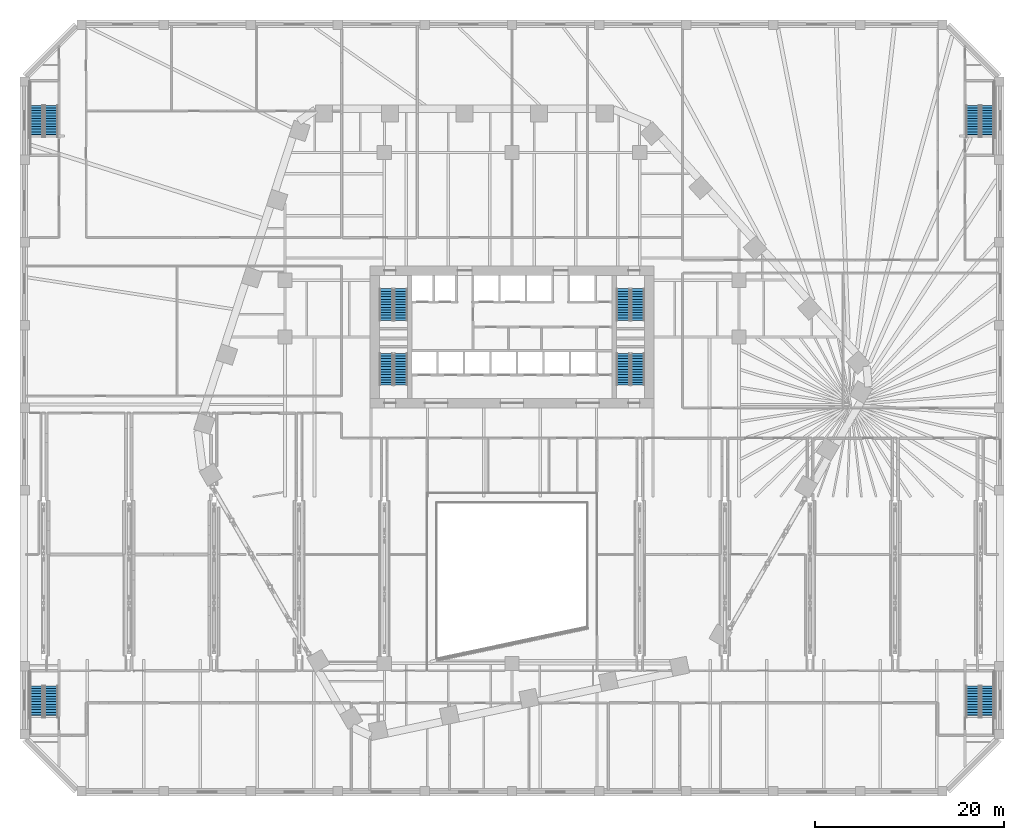
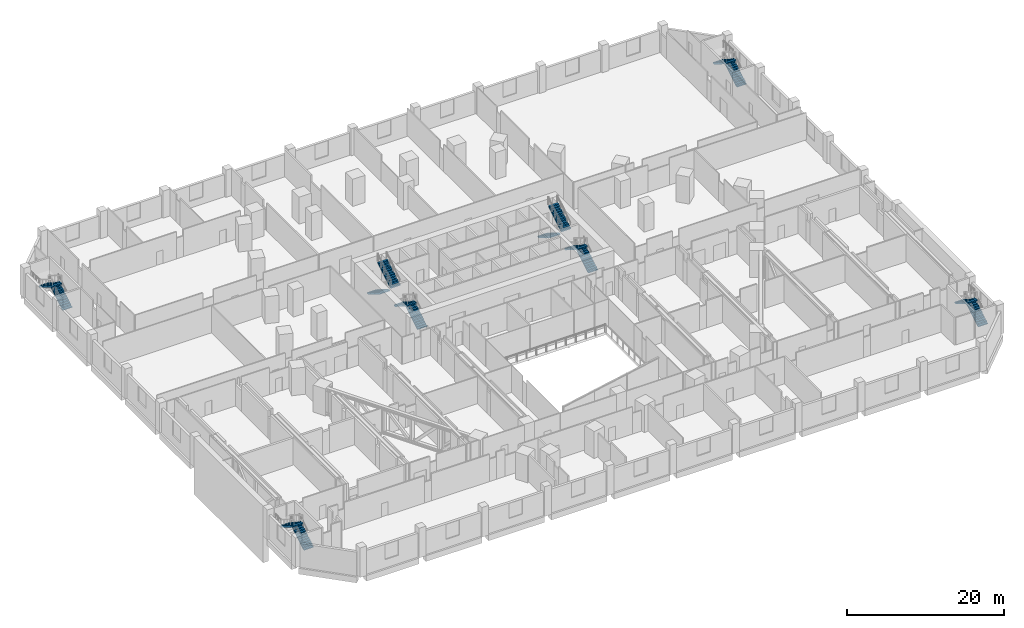
# One storey, part 25 of 32: 16 stair flights, 8 elements without a shape of their own.
"""IFC4 building model written with IfcOpenShell, lengths in metres."""

from ifc_helpers import new_model, si_unit, direction, frame, origin, place, context, subcontext, project, spatial, polyline, outline, extrude, material, type_object, element, aggregate, save


model = new_model("IFC4")

# Units and contexts
model_context = context("Model", 3, precision=1e-05, world=origin(), true_north=direction((0.0, 1.0)))
body_context = subcontext(model_context, "Body", "Model", "MODEL_VIEW")
ifc_project = project(units=[si_unit("LENGTHUNIT", "METRE"), si_unit("AREAUNIT", "SQUARE_METRE"), si_unit("VOLUMEUNIT", "CUBIC_METRE"), si_unit("PLANEANGLEUNIT", "RADIAN"), si_unit("MASSUNIT", "GRAM", prefix="KILO")], contexts=[model_context])

# Site, building, storey
site_placement = place(None, origin())
site = spatial("IfcSite", under=ifc_project, at=site_placement, CompositionType="ELEMENT")
building_placement = place(site_placement, origin())
building = spatial("IfcBuilding", under=site, at=building_placement, Name="Isthmus Gate Tower", CompositionType="ELEMENT")
storey_placement = place(building_placement, frame((0.0, 0.0, 18.0)))
storey = spatial("IfcBuildingStorey", under=building, at=storey_placement, Name="L02", CompositionType="ELEMENT", Elevation=18.0)

# Stair, stair flights
ifc_material_1 = material(Name="Concrete f'c 40 MPa", Category="concrete")
stair_type_1 = type_object("IfcStairType", Name="Podium exit stair 1400 wide flights", PredefinedType="HALF_TURN_STAIR", material=ifc_material_1)
stair_1_placement = place(storey_placement, origin())
stair_1 = element("IfcStair", 1, at=stair_1_placement, inside=storey, type_object=stair_type_1, Name="L02 Podium Exit Stair ST3", PredefinedType="HALF_TURN_STAIR")
ifc_material_2 = material(Name="Concrete f'c 40 MPa", Category="concrete")
stair_flight_type_1 = type_object("IfcStairFlightType", Name="Podium stair flight 1400", PredefinedType="STRAIGHT", material=ifc_material_2)
stair_flight_1_placement = place(storey_placement, frame((-48.699951171875, -32.72509765625, 0.0), z_axis=(0.0, 0.0, 1.0), x_axis=(0.0, 1.0, 0.0)))
stair_flight_1 = element("IfcStairFlight", 2, at=stair_flight_1_placement, type_object=stair_flight_type_1, Name="ST3 flight 1", NumberOfRisers=13, NumberOfTreads=12, PredefinedType="STRAIGHT", RiserHeight=0.173076923, TreadLength=0.28, context=body_context, shape_type="SweptSolid", body=[
    extrude(outline(polyline([(0.0, 0.0), (0.0, 0.173095703125), (0.280029296875, 0.173095703125), (0.280029296875, 0.34619140625), (0.56005859375, 0.34619140625), (0.56005859375, 0.519287109375), (0.840087890625, 0.519287109375), (0.840087890625, 0.6923828125), (1.1201171875, 0.6923828125), (1.1201171875, 0.865478515625), (1.39990234375, 0.865478515625), (1.39990234375, 1.03857421875), (1.679931640625, 1.03857421875), (1.679931640625, 1.21142578125), (1.9599609375, 1.21142578125), (1.9599609375, 1.384521484375), (2.239990234375, 1.384521484375), (2.239990234375, 1.5576171875), (2.52001953125, 1.5576171875), (2.52001953125, 1.730712890625), (2.800048828125, 1.730712890625), (2.800048828125, 1.90380859375), (3.080078125, 1.90380859375), (3.080078125, 2.076904296875), (3.360107421875, 2.076904296875), (3.360107421875, 2.25), (3.360107421875, 1.900634765625), (0.28515625, 0.0), (0.0, 0.0)])), frame((0.0, 0.699951171875, 0.0), z_axis=(0.0, -1.0, 0.0), x_axis=(1.0, 0.0, 0.0)), (0.0, 0.0, 1.0), 1.39990234375),
])
stair_flight_2_placement = place(storey_placement, frame((-50.25, -29.364990234375, 2.25), z_axis=(0.0, 0.0, 1.0), x_axis=(0.0, -1.0, 0.0)))
stair_flight_2 = element("IfcStairFlight", 3, at=stair_flight_2_placement, type_object=stair_flight_type_1, Name="ST3 flight 2", NumberOfRisers=13, NumberOfTreads=12, PredefinedType="STRAIGHT", RiserHeight=0.173076923, TreadLength=0.28, context=body_context, shape_type="SweptSolid", body=[
    extrude(outline(polyline([(0.0, 0.0), (0.0, 0.173095703125), (0.280029296875, 0.173095703125), (0.280029296875, 0.34619140625), (0.56005859375, 0.34619140625), (0.56005859375, 0.519287109375), (0.840087890625, 0.519287109375), (0.840087890625, 0.6923828125), (1.1201171875, 0.6923828125), (1.1201171875, 0.865478515625), (1.39990234375, 0.865478515625), (1.39990234375, 1.03857421875), (1.679931640625, 1.03857421875), (1.679931640625, 1.21142578125), (1.9599609375, 1.21142578125), (1.9599609375, 1.384521484375), (2.239990234375, 1.384521484375), (2.239990234375, 1.5576171875), (2.52001953125, 1.5576171875), (2.52001953125, 1.730712890625), (2.800048828125, 1.730712890625), (2.800048828125, 1.90380859375), (3.080078125, 1.90380859375), (3.080078125, 2.076904296875), (3.360107421875, 2.076904296875), (3.360107421875, 2.25), (3.360107421875, 1.900634765625), (0.28515625, 0.0), (0.0, 0.0)])), frame((0.0, 0.699951171875, 0.0), z_axis=(0.0, -1.0, 0.0), x_axis=(1.0, 0.0, 0.0)), (0.0, 0.0, 1.0), 1.39990234375),
])
aggregate(stair_1, [stair_flight_1, stair_flight_2])

stair_2_placement = place(storey_placement, origin())
stair_2 = element("IfcStair", 4, at=stair_2_placement, inside=storey, type_object=stair_type_1, Name="L02 Podium Exit Stair ST4", PredefinedType="HALF_TURN_STAIR")
stair_flight_3_placement = place(storey_placement, frame((50.25, -32.72509765625, 0.0), z_axis=(0.0, 0.0, 1.0), x_axis=(0.0, 1.0, 0.0)))
stair_flight_3 = element("IfcStairFlight", 5, at=stair_flight_3_placement, type_object=stair_flight_type_1, Name="ST4 flight 1", NumberOfRisers=13, NumberOfTreads=12, PredefinedType="STRAIGHT", RiserHeight=0.173076923, TreadLength=0.28, context=body_context, shape_type="SweptSolid", body=[
    extrude(outline(polyline([(0.0, 0.0), (0.0, 0.173095703125), (0.280029296875, 0.173095703125), (0.280029296875, 0.34619140625), (0.56005859375, 0.34619140625), (0.56005859375, 0.519287109375), (0.840087890625, 0.519287109375), (0.840087890625, 0.6923828125), (1.1201171875, 0.6923828125), (1.1201171875, 0.865478515625), (1.39990234375, 0.865478515625), (1.39990234375, 1.03857421875), (1.679931640625, 1.03857421875), (1.679931640625, 1.21142578125), (1.9599609375, 1.21142578125), (1.9599609375, 1.384521484375), (2.239990234375, 1.384521484375), (2.239990234375, 1.5576171875), (2.52001953125, 1.5576171875), (2.52001953125, 1.730712890625), (2.800048828125, 1.730712890625), (2.800048828125, 1.90380859375), (3.080078125, 1.90380859375), (3.080078125, 2.076904296875), (3.360107421875, 2.076904296875), (3.360107421875, 2.25), (3.360107421875, 1.900634765625), (0.28515625, 0.0), (0.0, 0.0)])), frame((0.0, 0.699951171875, 0.0), z_axis=(0.0, -1.0, 0.0), x_axis=(1.0, 0.0, 0.0)), (0.0, 0.0, 1.0), 1.39990234375),
])
stair_flight_4_placement = place(storey_placement, frame((48.699951171875, -29.364990234375, 2.25), z_axis=(0.0, 0.0, 1.0), x_axis=(0.0, -1.0, 0.0)))
stair_flight_4 = element("IfcStairFlight", 6, at=stair_flight_4_placement, type_object=stair_flight_type_1, Name="ST4 flight 2", NumberOfRisers=13, NumberOfTreads=12, PredefinedType="STRAIGHT", RiserHeight=0.173076923, TreadLength=0.28, context=body_context, shape_type="SweptSolid", body=[
    extrude(outline(polyline([(0.0, 0.0), (0.0, 0.173095703125), (0.280029296875, 0.173095703125), (0.280029296875, 0.34619140625), (0.56005859375, 0.34619140625), (0.56005859375, 0.519287109375), (0.840087890625, 0.519287109375), (0.840087890625, 0.6923828125), (1.1201171875, 0.6923828125), (1.1201171875, 0.865478515625), (1.39990234375, 0.865478515625), (1.39990234375, 1.03857421875), (1.679931640625, 1.03857421875), (1.679931640625, 1.21142578125), (1.9599609375, 1.21142578125), (1.9599609375, 1.384521484375), (2.239990234375, 1.384521484375), (2.239990234375, 1.5576171875), (2.52001953125, 1.5576171875), (2.52001953125, 1.730712890625), (2.800048828125, 1.730712890625), (2.800048828125, 1.90380859375), (3.080078125, 1.90380859375), (3.080078125, 2.076904296875), (3.360107421875, 2.076904296875), (3.360107421875, 2.25), (3.360107421875, 1.900634765625), (0.28515625, 0.0), (0.0, 0.0)])), frame((0.0, 0.699951171875, 0.0), z_axis=(0.0, -1.0, 0.0), x_axis=(1.0, 0.0, 0.0)), (0.0, 0.0, 1.0), 1.39990234375),
])
aggregate(stair_2, [stair_flight_3, stair_flight_4])

stair_3_placement = place(storey_placement, origin())
stair_3 = element("IfcStair", 7, at=stair_3_placement, inside=storey, type_object=stair_type_1, Name="L02 Podium Exit Stair ST5", PredefinedType="HALF_TURN_STAIR")
stair_flight_5_placement = place(storey_placement, frame((50.25, 28.625, 0.0), z_axis=(0.0, 0.0, 1.0), x_axis=(0.0, 1.0, 0.0)))
stair_flight_5 = element("IfcStairFlight", 8, at=stair_flight_5_placement, type_object=stair_flight_type_1, Name="ST5 flight 1", NumberOfRisers=13, NumberOfTreads=12, PredefinedType="STRAIGHT", RiserHeight=0.173076923, TreadLength=0.28, context=body_context, shape_type="SweptSolid", body=[
    extrude(outline(polyline([(0.0, 0.0), (0.0, 0.173095703125), (0.280029296875, 0.173095703125), (0.280029296875, 0.34619140625), (0.56005859375, 0.34619140625), (0.56005859375, 0.519287109375), (0.840087890625, 0.519287109375), (0.840087890625, 0.6923828125), (1.1201171875, 0.6923828125), (1.1201171875, 0.865478515625), (1.39990234375, 0.865478515625), (1.39990234375, 1.03857421875), (1.679931640625, 1.03857421875), (1.679931640625, 1.21142578125), (1.9599609375, 1.21142578125), (1.9599609375, 1.384521484375), (2.239990234375, 1.384521484375), (2.239990234375, 1.5576171875), (2.52001953125, 1.5576171875), (2.52001953125, 1.730712890625), (2.800048828125, 1.730712890625), (2.800048828125, 1.90380859375), (3.080078125, 1.90380859375), (3.080078125, 2.076904296875), (3.360107421875, 2.076904296875), (3.360107421875, 2.25), (3.360107421875, 1.900634765625), (0.28515625, 0.0), (0.0, 0.0)])), frame((0.0, 0.699951171875, 0.0), z_axis=(0.0, -1.0, 0.0), x_axis=(1.0, 0.0, 0.0)), (0.0, 0.0, 1.0), 1.39990234375),
])
stair_flight_6_placement = place(storey_placement, frame((48.699951171875, 31.985107421875, 2.25), z_axis=(0.0, 0.0, 1.0), x_axis=(0.0, -1.0, 0.0)))
stair_flight_6 = element("IfcStairFlight", 9, at=stair_flight_6_placement, type_object=stair_flight_type_1, Name="ST5 flight 2", NumberOfRisers=13, NumberOfTreads=12, PredefinedType="STRAIGHT", RiserHeight=0.173076923, TreadLength=0.28, context=body_context, shape_type="SweptSolid", body=[
    extrude(outline(polyline([(0.0, 0.0), (0.0, 0.173095703125), (0.280029296875, 0.173095703125), (0.280029296875, 0.34619140625), (0.56005859375, 0.34619140625), (0.56005859375, 0.519287109375), (0.840087890625, 0.519287109375), (0.840087890625, 0.6923828125), (1.1201171875, 0.6923828125), (1.1201171875, 0.865478515625), (1.39990234375, 0.865478515625), (1.39990234375, 1.03857421875), (1.679931640625, 1.03857421875), (1.679931640625, 1.21142578125), (1.9599609375, 1.21142578125), (1.9599609375, 1.384521484375), (2.239990234375, 1.384521484375), (2.239990234375, 1.5576171875), (2.52001953125, 1.5576171875), (2.52001953125, 1.730712890625), (2.800048828125, 1.730712890625), (2.800048828125, 1.90380859375), (3.080078125, 1.90380859375), (3.080078125, 2.076904296875), (3.360107421875, 2.076904296875), (3.360107421875, 2.25), (3.360107421875, 1.900634765625), (0.28515625, 0.0), (0.0, 0.0)])), frame((0.0, 0.699951171875, 0.0), z_axis=(0.0, -1.0, 0.0), x_axis=(1.0, 0.0, 0.0)), (0.0, 0.0, 1.0), 1.39990234375),
])
aggregate(stair_3, [stair_flight_5, stair_flight_6])

stair_4_placement = place(storey_placement, origin())
stair_4 = element("IfcStair", 10, at=stair_4_placement, inside=storey, type_object=stair_type_1, Name="L02 Podium Exit Stair ST6", PredefinedType="HALF_TURN_STAIR")
stair_flight_7_placement = place(storey_placement, frame((-48.699951171875, 28.625, 0.0), z_axis=(0.0, 0.0, 1.0), x_axis=(0.0, 1.0, 0.0)))
stair_flight_7 = element("IfcStairFlight", 11, at=stair_flight_7_placement, type_object=stair_flight_type_1, Name="ST6 flight 1", NumberOfRisers=13, NumberOfTreads=12, PredefinedType="STRAIGHT", RiserHeight=0.173076923, TreadLength=0.28, context=body_context, shape_type="SweptSolid", body=[
    extrude(outline(polyline([(0.0, 0.0), (0.0, 0.173095703125), (0.280029296875, 0.173095703125), (0.280029296875, 0.34619140625), (0.56005859375, 0.34619140625), (0.56005859375, 0.519287109375), (0.840087890625, 0.519287109375), (0.840087890625, 0.6923828125), (1.1201171875, 0.6923828125), (1.1201171875, 0.865478515625), (1.39990234375, 0.865478515625), (1.39990234375, 1.03857421875), (1.679931640625, 1.03857421875), (1.679931640625, 1.21142578125), (1.9599609375, 1.21142578125), (1.9599609375, 1.384521484375), (2.239990234375, 1.384521484375), (2.239990234375, 1.5576171875), (2.52001953125, 1.5576171875), (2.52001953125, 1.730712890625), (2.800048828125, 1.730712890625), (2.800048828125, 1.90380859375), (3.080078125, 1.90380859375), (3.080078125, 2.076904296875), (3.360107421875, 2.076904296875), (3.360107421875, 2.25), (3.360107421875, 1.900634765625), (0.28515625, 0.0), (0.0, 0.0)])), frame((0.0, 0.699951171875, 0.0), z_axis=(0.0, -1.0, 0.0), x_axis=(1.0, 0.0, 0.0)), (0.0, 0.0, 1.0), 1.39990234375),
])
stair_flight_8_placement = place(storey_placement, frame((-50.25, 31.985107421875, 2.25), z_axis=(0.0, 0.0, 1.0), x_axis=(0.0, -1.0, 0.0)))
stair_flight_8 = element("IfcStairFlight", 12, at=stair_flight_8_placement, type_object=stair_flight_type_1, Name="ST6 flight 2", NumberOfRisers=13, NumberOfTreads=12, PredefinedType="STRAIGHT", RiserHeight=0.173076923, TreadLength=0.28, context=body_context, shape_type="SweptSolid", body=[
    extrude(outline(polyline([(0.0, 0.0), (0.0, 0.173095703125), (0.280029296875, 0.173095703125), (0.280029296875, 0.34619140625), (0.56005859375, 0.34619140625), (0.56005859375, 0.519287109375), (0.840087890625, 0.519287109375), (0.840087890625, 0.6923828125), (1.1201171875, 0.6923828125), (1.1201171875, 0.865478515625), (1.39990234375, 0.865478515625), (1.39990234375, 1.03857421875), (1.679931640625, 1.03857421875), (1.679931640625, 1.21142578125), (1.9599609375, 1.21142578125), (1.9599609375, 1.384521484375), (2.239990234375, 1.384521484375), (2.239990234375, 1.5576171875), (2.52001953125, 1.5576171875), (2.52001953125, 1.730712890625), (2.800048828125, 1.730712890625), (2.800048828125, 1.90380859375), (3.080078125, 1.90380859375), (3.080078125, 2.076904296875), (3.360107421875, 2.076904296875), (3.360107421875, 2.25), (3.360107421875, 1.900634765625), (0.28515625, 0.0), (0.0, 0.0)])), frame((0.0, 0.699951171875, 0.0), z_axis=(0.0, -1.0, 0.0), x_axis=(1.0, 0.0, 0.0)), (0.0, 0.0, 1.0), 1.39990234375),
])
aggregate(stair_4, [stair_flight_7, stair_flight_8])

ifc_material_3 = material(Name="Concrete f'c 40 MPa", Category="concrete")
stair_type_2 = type_object("IfcStairType", Name="CORE STAIR 26 RISERS", PredefinedType="HALF_TURN_STAIR", material=ifc_material_3)
stair_5_placement = place(storey_placement, origin())
stair_5 = element("IfcStair", 13, at=stair_5_placement, inside=storey, type_object=stair_type_2, Name="L02 Exit Stair 1", PredefinedType="HALF_TURN_STAIR")
ifc_material_4 = material(Name="Concrete f'c 40 MPa", Category="concrete")
stair_flight_type_2 = type_object("IfcStairFlightType", Name="STAIR FLIGHT RC 1400", PredefinedType="STRAIGHT", material=ifc_material_4)
stair_flight_9_placement = place(storey_placement, frame((-13.300048828125, 12.60009765625, 0.0), z_axis=(0.0, 0.0, 1.0), x_axis=(0.0, -1.0, 0.0)))
stair_flight_9 = element("IfcStairFlight", 14, at=stair_flight_9_placement, type_object=stair_flight_type_2, Name="ST1 flight 1", NumberOfRisers=13, NumberOfTreads=12, PredefinedType="STRAIGHT", RiserHeight=0.173076923, TreadLength=0.28, context=body_context, shape_type="SweptSolid", body=[
    extrude(outline(polyline([(0.0, 0.0), (0.0, 0.173095703125), (0.280029296875, 0.173095703125), (0.280029296875, 0.34619140625), (0.56005859375, 0.34619140625), (0.56005859375, 0.519287109375), (0.840087890625, 0.519287109375), (0.840087890625, 0.6923828125), (1.1201171875, 0.6923828125), (1.1201171875, 0.865478515625), (1.39990234375, 0.865478515625), (1.39990234375, 1.03857421875), (1.679931640625, 1.03857421875), (1.679931640625, 1.21142578125), (1.9599609375, 1.21142578125), (1.9599609375, 1.384521484375), (2.239990234375, 1.384521484375), (2.239990234375, 1.5576171875), (2.52001953125, 1.5576171875), (2.52001953125, 1.730712890625), (2.800048828125, 1.730712890625), (2.800048828125, 1.90380859375), (3.080078125, 1.90380859375), (3.080078125, 2.076904296875), (3.360107421875, 2.076904296875), (3.360107421875, 2.25), (3.360107421875, 1.900634765625), (0.28515625, 0.0), (0.0, 0.0)])), frame((0.0, 0.699951171875, 0.0), z_axis=(0.0, -1.0, 0.0), x_axis=(1.0, 0.0, 0.0)), (0.0, 0.0, 1.0), 1.39990234375),
])
stair_flight_10_placement = place(storey_placement, frame((-11.75, 9.239990234375, 2.25), z_axis=(0.0, 0.0, 1.0), x_axis=(0.0, 1.0, 0.0)))
stair_flight_10 = element("IfcStairFlight", 15, at=stair_flight_10_placement, type_object=stair_flight_type_2, Name="ST1 flight 2", NumberOfRisers=13, NumberOfTreads=12, PredefinedType="STRAIGHT", RiserHeight=0.173076923, TreadLength=0.28, context=body_context, shape_type="SweptSolid", body=[
    extrude(outline(polyline([(0.0, 0.0), (0.0, 0.173095703125), (0.280029296875, 0.173095703125), (0.280029296875, 0.34619140625), (0.56005859375, 0.34619140625), (0.56005859375, 0.519287109375), (0.840087890625, 0.519287109375), (0.840087890625, 0.6923828125), (1.1201171875, 0.6923828125), (1.1201171875, 0.865478515625), (1.39990234375, 0.865478515625), (1.39990234375, 1.03857421875), (1.679931640625, 1.03857421875), (1.679931640625, 1.21142578125), (1.9599609375, 1.21142578125), (1.9599609375, 1.384521484375), (2.239990234375, 1.384521484375), (2.239990234375, 1.5576171875), (2.52001953125, 1.5576171875), (2.52001953125, 1.730712890625), (2.800048828125, 1.730712890625), (2.800048828125, 1.90380859375), (3.080078125, 1.90380859375), (3.080078125, 2.076904296875), (3.360107421875, 2.076904296875), (3.360107421875, 2.25), (3.360107421875, 1.900634765625), (0.28515625, 0.0), (0.0, 0.0)])), frame((0.0, 0.699951171875, 0.0), z_axis=(0.0, -1.0, 0.0), x_axis=(1.0, 0.0, 0.0)), (0.0, 0.0, 1.0), 1.39990234375),
])
aggregate(stair_5, [stair_flight_9, stair_flight_10])

stair_6_placement = place(storey_placement, origin())
stair_6 = element("IfcStair", 16, at=stair_6_placement, inside=storey, type_object=stair_type_2, Name="L02 Exit Stair 2", PredefinedType="HALF_TURN_STAIR")
stair_flight_11_placement = place(storey_placement, frame((11.75, 12.60009765625, 0.0), z_axis=(0.0, 0.0, 1.0), x_axis=(0.0, -1.0, 0.0)))
stair_flight_11 = element("IfcStairFlight", 17, at=stair_flight_11_placement, type_object=stair_flight_type_2, Name="ST2 flight 1", NumberOfRisers=13, NumberOfTreads=12, PredefinedType="STRAIGHT", RiserHeight=0.173076923, TreadLength=0.28, context=body_context, shape_type="SweptSolid", body=[
    extrude(outline(polyline([(0.0, 0.0), (0.0, 0.173095703125), (0.280029296875, 0.173095703125), (0.280029296875, 0.34619140625), (0.56005859375, 0.34619140625), (0.56005859375, 0.519287109375), (0.840087890625, 0.519287109375), (0.840087890625, 0.6923828125), (1.1201171875, 0.6923828125), (1.1201171875, 0.865478515625), (1.39990234375, 0.865478515625), (1.39990234375, 1.03857421875), (1.679931640625, 1.03857421875), (1.679931640625, 1.21142578125), (1.9599609375, 1.21142578125), (1.9599609375, 1.384521484375), (2.239990234375, 1.384521484375), (2.239990234375, 1.5576171875), (2.52001953125, 1.5576171875), (2.52001953125, 1.730712890625), (2.800048828125, 1.730712890625), (2.800048828125, 1.90380859375), (3.080078125, 1.90380859375), (3.080078125, 2.076904296875), (3.360107421875, 2.076904296875), (3.360107421875, 2.25), (3.360107421875, 1.900634765625), (0.28515625, 0.0), (0.0, 0.0)])), frame((0.0, 0.699951171875, 0.0), z_axis=(0.0, -1.0, 0.0), x_axis=(1.0, 0.0, 0.0)), (0.0, 0.0, 1.0), 1.39990234375),
])
stair_flight_12_placement = place(storey_placement, frame((13.300048828125, 9.239990234375, 2.25), z_axis=(0.0, 0.0, 1.0), x_axis=(0.0, 1.0, 0.0)))
stair_flight_12 = element("IfcStairFlight", 18, at=stair_flight_12_placement, type_object=stair_flight_type_2, Name="ST2 flight 2", NumberOfRisers=13, NumberOfTreads=12, PredefinedType="STRAIGHT", RiserHeight=0.173076923, TreadLength=0.28, context=body_context, shape_type="SweptSolid", body=[
    extrude(outline(polyline([(0.0, 0.0), (0.0, 0.173095703125), (0.280029296875, 0.173095703125), (0.280029296875, 0.34619140625), (0.56005859375, 0.34619140625), (0.56005859375, 0.519287109375), (0.840087890625, 0.519287109375), (0.840087890625, 0.6923828125), (1.1201171875, 0.6923828125), (1.1201171875, 0.865478515625), (1.39990234375, 0.865478515625), (1.39990234375, 1.03857421875), (1.679931640625, 1.03857421875), (1.679931640625, 1.21142578125), (1.9599609375, 1.21142578125), (1.9599609375, 1.384521484375), (2.239990234375, 1.384521484375), (2.239990234375, 1.5576171875), (2.52001953125, 1.5576171875), (2.52001953125, 1.730712890625), (2.800048828125, 1.730712890625), (2.800048828125, 1.90380859375), (3.080078125, 1.90380859375), (3.080078125, 2.076904296875), (3.360107421875, 2.076904296875), (3.360107421875, 2.25), (3.360107421875, 1.900634765625), (0.28515625, 0.0), (0.0, 0.0)])), frame((0.0, 0.699951171875, 0.0), z_axis=(0.0, -1.0, 0.0), x_axis=(1.0, 0.0, 0.0)), (0.0, 0.0, 1.0), 1.39990234375),
])
aggregate(stair_6, [stair_flight_11, stair_flight_12])

stair_7_placement = place(storey_placement, origin())
stair_7 = element("IfcStair", 19, at=stair_7_placement, inside=storey, type_object=stair_type_2, Name="L02 Exit Stair 7", PredefinedType="HALF_TURN_STAIR")
stair_flight_13_placement = place(storey_placement, frame((-11.75, 2.39990234375, 0.0), z_axis=(0.0, 0.0, 1.0), x_axis=(0.0, 1.0, 0.0)))
stair_flight_13 = element("IfcStairFlight", 20, at=stair_flight_13_placement, type_object=stair_flight_type_2, Name="ST7 flight 1", NumberOfRisers=13, NumberOfTreads=12, PredefinedType="STRAIGHT", RiserHeight=0.173076923, TreadLength=0.28, context=body_context, shape_type="SweptSolid", body=[
    extrude(outline(polyline([(0.0, 0.0), (0.0, 0.173095703125), (0.280029296875, 0.173095703125), (0.280029296875, 0.34619140625), (0.56005859375, 0.34619140625), (0.56005859375, 0.519287109375), (0.840087890625, 0.519287109375), (0.840087890625, 0.6923828125), (1.1201171875, 0.6923828125), (1.1201171875, 0.865478515625), (1.39990234375, 0.865478515625), (1.39990234375, 1.03857421875), (1.679931640625, 1.03857421875), (1.679931640625, 1.21142578125), (1.9599609375, 1.21142578125), (1.9599609375, 1.384521484375), (2.239990234375, 1.384521484375), (2.239990234375, 1.5576171875), (2.52001953125, 1.5576171875), (2.52001953125, 1.730712890625), (2.800048828125, 1.730712890625), (2.800048828125, 1.90380859375), (3.080078125, 1.90380859375), (3.080078125, 2.076904296875), (3.360107421875, 2.076904296875), (3.360107421875, 2.25), (3.360107421875, 1.900634765625), (0.28515625, 0.0), (0.0, 0.0)])), frame((0.0, 0.699951171875, 0.0), z_axis=(0.0, -1.0, 0.0), x_axis=(1.0, 0.0, 0.0)), (0.0, 0.0, 1.0), 1.39990234375),
])
stair_flight_14_placement = place(storey_placement, frame((-13.300048828125, 5.760009765625, 2.25), z_axis=(0.0, 0.0, 1.0), x_axis=(0.0, -1.0, 0.0)))
stair_flight_14 = element("IfcStairFlight", 21, at=stair_flight_14_placement, type_object=stair_flight_type_2, Name="ST7 flight 2", NumberOfRisers=13, NumberOfTreads=12, PredefinedType="STRAIGHT", RiserHeight=0.173076923, TreadLength=0.28, context=body_context, shape_type="SweptSolid", body=[
    extrude(outline(polyline([(0.0, 0.0), (0.0, 0.173095703125), (0.280029296875, 0.173095703125), (0.280029296875, 0.34619140625), (0.56005859375, 0.34619140625), (0.56005859375, 0.519287109375), (0.840087890625, 0.519287109375), (0.840087890625, 0.6923828125), (1.1201171875, 0.6923828125), (1.1201171875, 0.865478515625), (1.39990234375, 0.865478515625), (1.39990234375, 1.03857421875), (1.679931640625, 1.03857421875), (1.679931640625, 1.21142578125), (1.9599609375, 1.21142578125), (1.9599609375, 1.384521484375), (2.239990234375, 1.384521484375), (2.239990234375, 1.5576171875), (2.52001953125, 1.5576171875), (2.52001953125, 1.730712890625), (2.800048828125, 1.730712890625), (2.800048828125, 1.90380859375), (3.080078125, 1.90380859375), (3.080078125, 2.076904296875), (3.360107421875, 2.076904296875), (3.360107421875, 2.25), (3.360107421875, 1.900634765625), (0.28515625, 0.0), (0.0, 0.0)])), frame((0.0, 0.699951171875, 0.0), z_axis=(0.0, -1.0, 0.0), x_axis=(1.0, 0.0, 0.0)), (0.0, 0.0, 1.0), 1.39990234375),
])
aggregate(stair_7, [stair_flight_13, stair_flight_14])

stair_8_placement = place(storey_placement, origin())
stair_8 = element("IfcStair", 22, at=stair_8_placement, inside=storey, type_object=stair_type_2, Name="L02 Exit Stair 8", PredefinedType="HALF_TURN_STAIR")
stair_flight_15_placement = place(storey_placement, frame((13.300048828125, 2.39990234375, 0.0), z_axis=(0.0, 0.0, 1.0), x_axis=(0.0, 1.0, 0.0)))
stair_flight_15 = element("IfcStairFlight", 23, at=stair_flight_15_placement, type_object=stair_flight_type_2, Name="ST8 flight 1", NumberOfRisers=13, NumberOfTreads=12, PredefinedType="STRAIGHT", RiserHeight=0.173076923, TreadLength=0.28, context=body_context, shape_type="SweptSolid", body=[
    extrude(outline(polyline([(0.0, 0.0), (0.0, 0.173095703125), (0.280029296875, 0.173095703125), (0.280029296875, 0.34619140625), (0.56005859375, 0.34619140625), (0.56005859375, 0.519287109375), (0.840087890625, 0.519287109375), (0.840087890625, 0.6923828125), (1.1201171875, 0.6923828125), (1.1201171875, 0.865478515625), (1.39990234375, 0.865478515625), (1.39990234375, 1.03857421875), (1.679931640625, 1.03857421875), (1.679931640625, 1.21142578125), (1.9599609375, 1.21142578125), (1.9599609375, 1.384521484375), (2.239990234375, 1.384521484375), (2.239990234375, 1.5576171875), (2.52001953125, 1.5576171875), (2.52001953125, 1.730712890625), (2.800048828125, 1.730712890625), (2.800048828125, 1.90380859375), (3.080078125, 1.90380859375), (3.080078125, 2.076904296875), (3.360107421875, 2.076904296875), (3.360107421875, 2.25), (3.360107421875, 1.900634765625), (0.28515625, 0.0), (0.0, 0.0)])), frame((0.0, 0.699951171875, 0.0), z_axis=(0.0, -1.0, 0.0), x_axis=(1.0, 0.0, 0.0)), (0.0, 0.0, 1.0), 1.39990234375),
])
stair_flight_16_placement = place(storey_placement, frame((11.75, 5.760009765625, 2.25), z_axis=(0.0, 0.0, 1.0), x_axis=(0.0, -1.0, 0.0)))
stair_flight_16 = element("IfcStairFlight", 24, at=stair_flight_16_placement, type_object=stair_flight_type_2, Name="ST8 flight 2", NumberOfRisers=13, NumberOfTreads=12, PredefinedType="STRAIGHT", RiserHeight=0.173076923, TreadLength=0.28, context=body_context, shape_type="SweptSolid", body=[
    extrude(outline(polyline([(0.0, 0.0), (0.0, 0.173095703125), (0.280029296875, 0.173095703125), (0.280029296875, 0.34619140625), (0.56005859375, 0.34619140625), (0.56005859375, 0.519287109375), (0.840087890625, 0.519287109375), (0.840087890625, 0.6923828125), (1.1201171875, 0.6923828125), (1.1201171875, 0.865478515625), (1.39990234375, 0.865478515625), (1.39990234375, 1.03857421875), (1.679931640625, 1.03857421875), (1.679931640625, 1.21142578125), (1.9599609375, 1.21142578125), (1.9599609375, 1.384521484375), (2.239990234375, 1.384521484375), (2.239990234375, 1.5576171875), (2.52001953125, 1.5576171875), (2.52001953125, 1.730712890625), (2.800048828125, 1.730712890625), (2.800048828125, 1.90380859375), (3.080078125, 1.90380859375), (3.080078125, 2.076904296875), (3.360107421875, 2.076904296875), (3.360107421875, 2.25), (3.360107421875, 1.900634765625), (0.28515625, 0.0), (0.0, 0.0)])), frame((0.0, 0.699951171875, 0.0), z_axis=(0.0, -1.0, 0.0), x_axis=(1.0, 0.0, 0.0)), (0.0, 0.0, 1.0), 1.39990234375),
])
aggregate(stair_8, [stair_flight_15, stair_flight_16])

save(model, "model.ifc")
